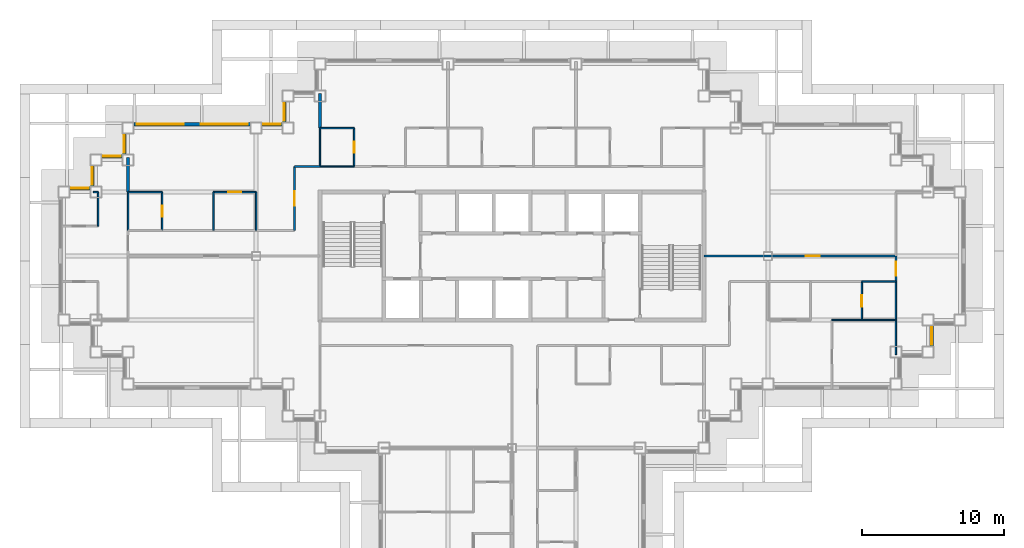
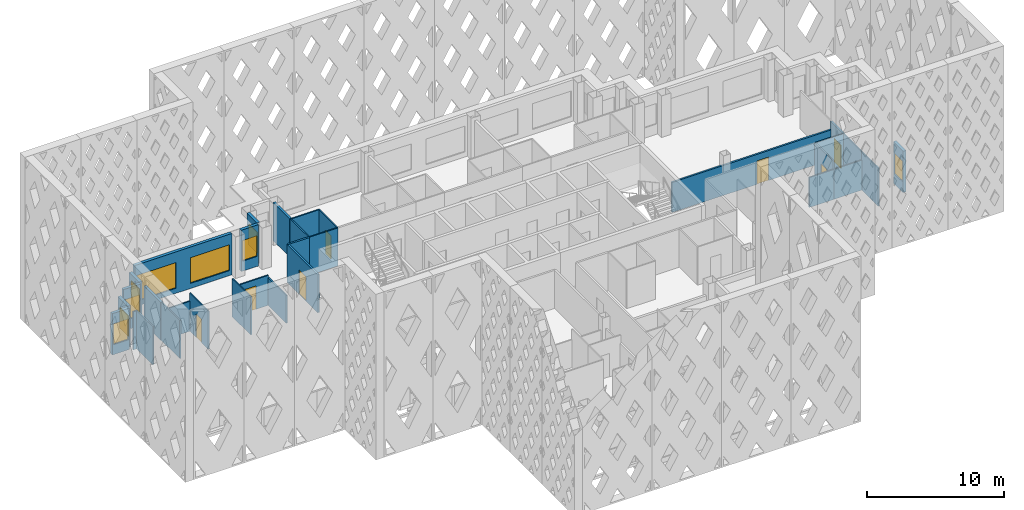
# One storey, part 7 of 19: 32 walls, 9 windows, 7 doors, 16 openings.
"""IFC4 building model written with IfcOpenShell, lengths in metres."""

from ifc_helpers import new_model, si_unit, direction, frame, frame_2d, origin, place, context, subcontext, project, spatial, rectangle, extrude, material, layer, layer_set, type_object, element, fill, save


model = new_model("IFC4")

# Units and contexts
model_context = context("Model", 3, precision=1e-05, world=origin(), true_north=direction((0.0, 1.0)))
body_context = subcontext(model_context, "Body", "Model", "MODEL_VIEW")
ifc_project = project(units=[si_unit("LENGTHUNIT", "METRE"), si_unit("AREAUNIT", "SQUARE_METRE"), si_unit("VOLUMEUNIT", "CUBIC_METRE"), si_unit("PLANEANGLEUNIT", "RADIAN"), si_unit("MASSUNIT", "GRAM", prefix="KILO")], contexts=[model_context])

# Site, building, storey
site_placement = place(None, origin())
site = spatial("IfcSite", under=ifc_project, at=site_placement, CompositionType="ELEMENT")
building_placement = place(site_placement, origin())
building = spatial("IfcBuilding", under=site, at=building_placement, Name="Caravel Reach Hotel and Residences", CompositionType="ELEMENT")
storey_placement = place(building_placement, frame((0.0, 0.0, 150.60009765625)))
storey = spatial("IfcBuildingStorey", under=building, at=storey_placement, Name="L37", CompositionType="ELEMENT", Elevation=150.60009765625)

# Walls
ifc_material_1 = material(Name="Gypsum board on steel stud", Category="steel")
ifc_layer_1 = layer(ifc_material_1, 0.10009765625)
ifc_layer_set_1 = layer_set([ifc_layer_1], Name="Bathroom pod wall 100 mm")
wall_type_1 = type_object("IfcWallType", Name="Bathroom pod wall 100 mm", PredefinedType="PARTITIONING", material=ifc_layer_set_1)
wall_1_placement = place(storey_placement, frame((56.10009765625, 22.5, 0.0), z_axis=(0.0, 0.0, 1.0), x_axis=(1.0, 0.0, 0.0)))
element("IfcWall", 1, at=wall_1_placement, inside=storey, type_object=wall_type_1, Name="L37 wall w084", PredefinedType="PARTITIONING", context=body_context, shape_type="SweptSolid", body=[
    extrude(rectangle(XDim=2.39990234375, YDim=0.10009765625, at=frame_2d((1.199951171875, 0.0))), origin(), (0.0, 0.0, 1.0), 2.679931640625),
])
wall_2_placement = place(storey_placement, frame((56.10009765625, 25.199951171875, 0.0), z_axis=(0.0, 0.0, 1.0), x_axis=(1.0, 0.0, 0.0)))
element("IfcWall", 2, at=wall_2_placement, inside=storey, type_object=wall_type_1, Name="L37 wall w085", PredefinedType="PARTITIONING", context=body_context, shape_type="SweptSolid", body=[
    extrude(rectangle(XDim=2.39990234375, YDim=0.10009765625, at=frame_2d((1.199951171875, 0.0))), origin(), (0.0, 0.0, 1.0), 3.39990234375),
])
wall_3_placement = place(storey_placement, frame((4.5, 31.5, 0.0), z_axis=(0.0, 0.0, 1.0), x_axis=(1.0, 0.0, 0.0)))
element("IfcWall", 3, at=wall_3_placement, inside=storey, type_object=wall_type_1, Name="L37 wall w088", PredefinedType="PARTITIONING", context=body_context, shape_type="SweptSolid", body=[
    extrude(rectangle(XDim=2.39990234375, YDim=0.10009765625, at=frame_2d((1.199951171875, 0.0))), origin(), (0.0, 0.0, 1.0), 2.679931640625),
])
for number, where, z_axis, x_axis, name in (
    (4, (18.0, 33.300048828125, 0.0), (0.0, 0.0, 1.0), (1.0, 0.0, 0.0), "L37 wall w089"),
    (5, (18.0, 36.0, 0.0), (0.0, 0.0, 1.0), (1.0, 0.0, 0.0), "L37 wall w092"),
):
    element("IfcWall", number, at=place(storey_placement, frame(where, z_axis=z_axis, x_axis=x_axis)), inside=storey, type_object=wall_type_1, Name=name, PredefinedType="PARTITIONING", context=body_context, shape_type="SweptSolid", body=[
        extrude(rectangle(XDim=2.39990234375, YDim=0.10009765625, at=frame_2d((1.199951171875, 0.0))), origin(), (0.0, 0.0, 1.0), 3.39990234375),
    ])
wall_4_placement = place(storey_placement, frame((18.0, 33.301025390625, 0.0), z_axis=(0.0, 0.0, 1.0), x_axis=(0.0, 1.0, 0.0)))
element("IfcWall", 6, at=wall_4_placement, inside=storey, type_object=wall_type_1, Name="L37 wall w097", PredefinedType="PARTITIONING", context=body_context, shape_type="SweptSolid", body=[
    extrude(rectangle(XDim=2.698974609375, YDim=0.10009765625, at=frame_2d((1.349609375, 0.0))), origin(), (0.0, 0.0, 1.0), 3.39990234375),
])

# Wall, opening, door
wall_5_placement = place(storey_placement, frame((20.39990234375, 33.300048828125, 0.0), z_axis=(0.0, 0.0, 1.0), x_axis=(0.0, 1.0, 0.0)))
wall_5 = element("IfcWall", 7, at=wall_5_placement, inside=storey, type_object=wall_type_1, Name="L37 wall w099", PredefinedType="PARTITIONING", context=body_context, shape_type="SweptSolid", body=[
    extrude(rectangle(XDim=2.699951171875, YDim=0.10009765625, at=frame_2d((1.35009765625, 0.0))), origin(), (0.0, 0.0, 1.0), 3.39990234375),
])
opening_1_placement = place(wall_5_placement, frame((0.949951171875, 0.0, 0.0)))
opening_1 = element("IfcOpeningElement", 8, at=opening_1_placement, cuts=wall_5, Name="Opening D37-018", PredefinedType="OPENING", context=body_context, shape_type="SweptSolid", body=[
    extrude(rectangle(XDim=0.800048828125, YDim=2.10009765625, at=frame_2d((0.39990234375, 1.050048828125))), frame((0.0, 0.06005859375, 0.0), z_axis=(0.0, -1.0, 0.0), x_axis=(1.0, 0.0, 0.0)), (0.0, 0.0, 1.0), 0.1201171875),
])
ifc_material_2 = material(Name="Timber and steel door leaf", Category="steel")
door_type_1 = type_object("IfcDoorType", Name="Bathroom door 800 x 2100", OperationType="SINGLE_SWING_LEFT", PredefinedType="DOOR", material=ifc_material_2)
door_1_placement = place(opening_1_placement, origin())
door_1 = element("IfcDoor", 9, at=door_1_placement, inside=storey, type_object=door_type_1, Name="door D37-018", OperationType="SINGLE_SWING_LEFT", OverallHeight=2.10009765625, OverallWidth=0.800048828125, PredefinedType="DOOR", context=body_context, shape_type="SweptSolid", body=[
    extrude(rectangle(XDim=0.800048828125, YDim=2.10009765625, at=frame_2d((0.39990234375, 1.050048828125))), frame((0.0, 0.02490234375, 0.0), z_axis=(0.0, -1.0, 0.0), x_axis=(1.0, 0.0, 0.0)), (0.0, 0.0, 1.0), 0.050048828125),
])
fill(opening_1, door_1)

# Wall
wall_6_placement = place(storey_placement, frame((4.5, 28.800048828125, 0.0), z_axis=(0.0, 0.0, 1.0), x_axis=(0.0, 1.0, 0.0)))
element("IfcWall", 10, at=wall_6_placement, inside=storey, type_object=wall_type_1, Name="L37 wall w110", PredefinedType="PARTITIONING", context=body_context, shape_type="SweptSolid", body=[
    extrude(rectangle(XDim=2.699951171875, YDim=0.10009765625, at=frame_2d((1.35009765625, 0.0))), origin(), (0.0, 0.0, 1.0), 3.39990234375),
])

# Wall, opening, door
wall_7_placement = place(storey_placement, frame((56.10009765625, 22.5, 0.0), z_axis=(0.0, 0.0, 1.0), x_axis=(0.0, 1.0, 0.0)))
wall_7 = element("IfcWall", 11, at=wall_7_placement, inside=storey, type_object=wall_type_1, Name="L37 wall w111", PredefinedType="PARTITIONING", context=body_context, shape_type="SweptSolid", body=[
    extrude(rectangle(XDim=2.699951171875, YDim=0.10009765625, at=frame_2d((1.35009765625, 0.0))), origin(), (0.0, 0.0, 1.0), 3.39990234375),
])
opening_2_placement = place(wall_7_placement, frame((0.949951171875, 0.0, 0.0)))
opening_2 = element("IfcOpeningElement", 12, at=opening_2_placement, cuts=wall_7, Name="Opening D37-033", PredefinedType="OPENING", context=body_context, shape_type="SweptSolid", body=[
    extrude(rectangle(XDim=0.800048828125, YDim=2.10009765625, at=frame_2d((0.39990234375, 1.050048828125))), frame((0.0, 0.06005859375, 0.0), z_axis=(0.0, -1.0, 0.0), x_axis=(1.0, 0.0, 0.0)), (0.0, 0.0, 1.0), 0.1201171875),
])
door_2_placement = place(opening_2_placement, origin())
door_2 = element("IfcDoor", 13, at=door_2_placement, inside=storey, type_object=door_type_1, Name="door D37-033", OperationType="SINGLE_SWING_LEFT", OverallHeight=2.10009765625, OverallWidth=0.800048828125, PredefinedType="DOOR", context=body_context, shape_type="SweptSolid", body=[
    extrude(rectangle(XDim=0.800048828125, YDim=2.10009765625, at=frame_2d((0.39990234375, 1.050048828125))), frame((0.0, 0.02490234375, 0.0), z_axis=(0.0, -1.0, 0.0), x_axis=(1.0, 0.0, 0.0)), (0.0, 0.0, 1.0), 0.050048828125),
])
fill(opening_2, door_2)

# Wall
wall_8_placement = place(storey_placement, frame((58.5, 22.5, 0.0), z_axis=(0.0, 0.0, 1.0), x_axis=(0.0, 1.0, 0.0)))
element("IfcWall", 14, at=wall_8_placement, inside=storey, type_object=wall_type_1, Name="L37 wall w112", PredefinedType="PARTITIONING", context=body_context, shape_type="SweptSolid", body=[
    extrude(rectangle(XDim=2.699951171875, YDim=0.10009765625, at=frame_2d((1.35009765625, 0.0))), origin(), (0.0, 0.0, 1.0), 3.39990234375),
])

# Wall, opening, door
wall_9_placement = place(storey_placement, frame((6.89990234375, 28.800048828125, 0.0), z_axis=(0.0, 0.0, 1.0), x_axis=(0.0, 1.0, 0.0)))
wall_9 = element("IfcWall", 15, at=wall_9_placement, inside=storey, type_object=wall_type_1, Name="L37 wall w113", PredefinedType="PARTITIONING", context=body_context, shape_type="SweptSolid", body=[
    extrude(rectangle(XDim=2.699951171875, YDim=0.10009765625, at=frame_2d((1.35009765625, 0.0))), origin(), (0.0, 0.0, 1.0), 3.39990234375),
])
opening_3_placement = place(wall_9_placement, frame((0.949951171875, 0.0, 0.0)))
opening_3 = element("IfcOpeningElement", 16, at=opening_3_placement, cuts=wall_9, Name="Opening D37-027", PredefinedType="OPENING", context=body_context, shape_type="SweptSolid", body=[
    extrude(rectangle(XDim=0.800048828125, YDim=2.10009765625, at=frame_2d((0.39990234375, 1.050048828125))), frame((0.0, 0.06005859375, 0.0), z_axis=(0.0, -1.0, 0.0), x_axis=(1.0, 0.0, 0.0)), (0.0, 0.0, 1.0), 0.1201171875),
])
door_3_placement = place(opening_3_placement, origin())
door_3 = element("IfcDoor", 17, at=door_3_placement, inside=storey, type_object=door_type_1, Name="door D37-027", OperationType="SINGLE_SWING_RIGHT", OverallHeight=2.10009765625, OverallWidth=0.800048828125, PredefinedType="DOOR", context=body_context, shape_type="SweptSolid", body=[
    extrude(rectangle(XDim=0.800048828125, YDim=2.10009765625, at=frame_2d((0.39990234375, 1.050048828125))), frame((0.0, 0.02490234375, 0.0), z_axis=(0.0, -1.0, 0.0), x_axis=(1.0, 0.0, 0.0)), (0.0, 0.0, 1.0), 0.050048828125),
])
fill(opening_3, door_3)

ifc_material_3 = material(Name="Gypsum board on steel stud, fire-rated", Category="steel")
ifc_layer_2 = layer(ifc_material_3, 0.14990234375)
ifc_layer_set_2 = layer_set([ifc_layer_2], Name="Corridor wall 150 mm EI 60")
wall_type_2 = type_object("IfcWallType", Name="Corridor wall 150 mm EI 60", PredefinedType="PARTITIONING", material=ifc_layer_set_2)
wall_10_placement = place(storey_placement, frame((45.0, 27.0, 0.0), z_axis=(0.0, 0.0, 1.0), x_axis=(1.0, 0.0, 0.0)))
wall_10 = element("IfcWall", 18, at=wall_10_placement, inside=storey, type_object=wall_type_2, Name="L37 wall w010", PredefinedType="PARTITIONING", context=body_context, shape_type="SweptSolid", body=[
    extrude(rectangle(XDim=13.5, YDim=0.14990234375, at=frame_2d((6.75, 0.0))), origin(), (0.0, 0.0, 1.0), 2.679931640625),
])
opening_4_placement = place(wall_10_placement, frame((7.14990234375, 0.0, 0.0)))
opening_4 = element("IfcOpeningElement", 19, at=opening_4_placement, cuts=wall_10, Name="Opening D37-030", PredefinedType="OPENING", context=body_context, shape_type="SweptSolid", body=[
    extrude(rectangle(XDim=1.0, YDim=2.10009765625, at=frame_2d((0.5, 1.050048828125))), frame((0.0, 0.0849609375, 0.0), z_axis=(0.0, -1.0, 0.0), x_axis=(1.0, 0.0, 0.0)), (0.0, 0.0, 1.0), 0.169921875),
])
ifc_material_4 = material(Name="Steel fire door leaf", Category="steel")
door_type_2 = type_object("IfcDoorType", Name="Fire door 1000 x 2100 EI 60", OperationType="SINGLE_SWING_LEFT", PredefinedType="DOOR", material=ifc_material_4)
door_4_placement = place(opening_4_placement, origin())
door_4 = element("IfcDoor", 20, at=door_4_placement, inside=storey, type_object=door_type_2, Name="door D37-030", OperationType="SINGLE_SWING_RIGHT", OverallHeight=2.10009765625, OverallWidth=1.0, PredefinedType="DOOR", context=body_context, shape_type="SweptSolid", body=[
    extrude(rectangle(XDim=1.0, YDim=2.10009765625, at=frame_2d((0.5, 1.050048828125))), frame((0.0, 0.02490234375, 0.0), z_axis=(0.0, -1.0, 0.0), x_axis=(1.0, 0.0, 0.0)), (0.0, 0.0, 1.0), 0.050048828125),
])
fill(opening_4, door_4)

# Wall
wall_11_placement = place(storey_placement, frame((16.199951171875, 33.300048828125, 0.0), z_axis=(0.0, 0.0, 1.0), x_axis=(1.0, 0.0, 0.0)))
element("IfcWall", 21, at=wall_11_placement, inside=storey, type_object=wall_type_2, Name="L37 wall w020", PredefinedType="PARTITIONING", context=body_context, shape_type="SweptSolid", body=[
    extrude(rectangle(XDim=1.799072265625, YDim=0.14990234375, at=frame_2d((0.8994140625, 0.0))), origin(), (0.0, 0.0, 1.0), 3.39990234375),
])

# Wall, opening, door
wall_12_placement = place(storey_placement, frame((16.199951171875, 28.801025390625, 0.0), z_axis=(0.0, 0.0, 1.0), x_axis=(0.0, 1.0, 0.0)))
wall_12 = element("IfcWall", 22, at=wall_12_placement, inside=storey, type_object=wall_type_2, Name="L37 wall w022", PredefinedType="PARTITIONING", context=body_context, shape_type="SweptSolid", body=[
    extrude(rectangle(XDim=4.4990234375, YDim=0.14990234375, at=frame_2d((2.24951171875, 0.0))), origin(), (0.0, 0.0, 1.0), 3.39990234375),
])
opening_5_placement = place(wall_12_placement, frame((1.74951171875, 0.0, 0.0)))
opening_5 = element("IfcOpeningElement", 23, at=opening_5_placement, cuts=wall_12, Name="Opening D37-026", PredefinedType="OPENING", context=body_context, shape_type="SweptSolid", body=[
    extrude(rectangle(XDim=1.0, YDim=2.199951171875, at=frame_2d((0.5, 1.10009765625))), frame((0.0, 0.0849609375, 0.0), z_axis=(0.0, -1.0, 0.0), x_axis=(1.0, 0.0, 0.0)), (0.0, 0.0, 1.0), 0.169921875),
])
ifc_material_5 = material(Name="Steel fire door leaf", Category="steel")
door_type_3 = type_object("IfcDoorType", Name="Flat entrance door 1000 x 2200 EI 60", OperationType="SINGLE_SWING_LEFT", PredefinedType="DOOR", material=ifc_material_5)
door_5_placement = place(opening_5_placement, origin())
door_5 = element("IfcDoor", 24, at=door_5_placement, inside=storey, type_object=door_type_3, Name="door D37-026", OperationType="SINGLE_SWING_LEFT", OverallHeight=2.199951171875, OverallWidth=1.0, PredefinedType="DOOR", context=body_context, shape_type="SweptSolid", body=[
    extrude(rectangle(XDim=1.0, YDim=2.199951171875, at=frame_2d((0.5, 1.10009765625))), frame((0.0, 0.02490234375, 0.0), z_axis=(0.0, -1.0, 0.0), x_axis=(1.0, 0.0, 0.0)), (0.0, 0.0, 1.0), 0.050048828125),
])
fill(opening_5, door_5)

wall_13_placement = place(storey_placement, frame((58.5, 25.199951171875, 0.0), z_axis=(0.0, 0.0, 1.0), x_axis=(0.0, 1.0, 0.0)))
wall_13 = element("IfcWall", 25, at=wall_13_placement, inside=storey, type_object=wall_type_2, Name="L37 wall w033", PredefinedType="PARTITIONING", context=body_context, shape_type="SweptSolid", body=[
    extrude(rectangle(XDim=1.800048828125, YDim=0.14990234375, at=frame_2d((0.89990234375, 0.0))), origin(), (0.0, 0.0, 1.0), 3.39990234375),
])
opening_6_placement = place(wall_13_placement, frame((0.39990234375, 0.0, 0.0)))
opening_6 = element("IfcOpeningElement", 26, at=opening_6_placement, cuts=wall_13, Name="Opening D37-049", PredefinedType="OPENING", context=body_context, shape_type="SweptSolid", body=[
    extrude(rectangle(XDim=1.0, YDim=2.10009765625, at=frame_2d((0.5, 1.050048828125))), frame((0.0, 0.0849609375, 0.0), z_axis=(0.0, -1.0, 0.0), x_axis=(1.0, 0.0, 0.0)), (0.0, 0.0, 1.0), 0.169921875),
])
door_6_placement = place(opening_6_placement, origin())
door_6 = element("IfcDoor", 27, at=door_6_placement, inside=storey, type_object=door_type_2, Name="door D37-049", OperationType="SINGLE_SWING_LEFT", OverallHeight=2.10009765625, OverallWidth=1.0, PredefinedType="DOOR", context=body_context, shape_type="SweptSolid", body=[
    extrude(rectangle(XDim=1.0, YDim=2.10009765625, at=frame_2d((0.5, 1.050048828125))), frame((0.0, 0.02490234375, 0.0), z_axis=(0.0, -1.0, 0.0), x_axis=(1.0, 0.0, 0.0)), (0.0, 0.0, 1.0), 0.050048828125),
])
fill(opening_6, door_6)

# Wall, opening, window
ifc_material_6 = material(Name="Insulated rainscreen wall, aluminium cladding", Category="aluminium")
ifc_layer_3 = layer(ifc_material_6, 0.25)
ifc_layer_set_3 = layer_set([ifc_layer_3], Name="EW1 Tower rainscreen wall")
wall_type_3 = type_object("IfcWallType", Name="EW1 Tower rainscreen wall", PredefinedType="SOLIDWALL", material=ifc_layer_set_3)
wall_14_placement = place(storey_placement, frame((61.02490234375, 20.64990234375, 0.0), z_axis=(0.0, 0.0, 1.0), x_axis=(0.0, 1.0, 0.0)))
wall_14 = element("IfcWall", 28, at=wall_14_placement, inside=storey, type_object=wall_type_3, Name="External wall L37 E18.1", PredefinedType="SOLIDWALL", context=body_context, shape_type="SweptSolid", body=[
    extrude(rectangle(XDim=1.4501953125, YDim=0.25, at=frame_2d((0.72509765625, 0.0))), origin(), (0.0, 0.0, 1.0), 3.699951171875),
])
opening_7_placement = place(wall_14_placement, frame((0.10009765625, 0.0, 0.89990234375)))
opening_7 = element("IfcOpeningElement", 29, at=opening_7_placement, cuts=wall_14, Name="Opening WN13", PredefinedType="OPENING", context=body_context, shape_type="SweptSolid", body=[
    extrude(rectangle(XDim=1.25, YDim=1.85009765625, at=frame_2d((0.625, 0.925048828125))), frame((0.0, 0.135009765625, 0.0), z_axis=(0.0, -1.0, 0.0), x_axis=(1.0, 0.0, 0.0)), (0.0, 0.0, 1.0), 0.27001953125),
])
ifc_material_7 = material(Name="Dark low-e glazing in black aluminium frame", Category="aluminium")
window_type_1 = type_object("IfcWindowType", Name="Residence bedroom window 1250 x 1850", PartitioningType="SINGLE_PANEL", PredefinedType="WINDOW", material=ifc_material_7)
window_1_placement = place(opening_7_placement, origin())
window_1 = element("IfcWindow", 30, at=window_1_placement, inside=storey, type_object=window_type_1, Name="Window L37 E18.1.1", OverallHeight=1.85009765625, OverallWidth=1.25, PartitioningType="SINGLE_PANEL", PredefinedType="WINDOW", context=body_context, shape_type="SweptSolid", body=[
    extrude(rectangle(XDim=1.25, YDim=1.85009765625, at=frame_2d((0.625, 0.925048828125))), frame((0.0, 0.030029296875, 0.0), z_axis=(0.0, -1.0, 0.0), x_axis=(1.0, 0.0, 0.0)), (0.0, 0.0, 1.0), 0.06005859375),
])
fill(opening_7, window_1)

wall_15_placement = place(storey_placement, frame((15.47509765625, 37.85009765625, 0.0), z_axis=(0.0, 0.0, 1.0), x_axis=(0.0, -1.0, 0.0)))
wall_15 = element("IfcWall", 31, at=wall_15_placement, inside=storey, type_object=wall_type_3, Name="External wall L37 W32.1", PredefinedType="SOLIDWALL", context=body_context, shape_type="SweptSolid", body=[
    extrude(rectangle(XDim=1.4501953125, YDim=0.25, at=frame_2d((0.72509765625, 0.0))), origin(), (0.0, 0.0, 1.0), 3.699951171875),
])
opening_8_placement = place(wall_15_placement, frame((0.10009765625, 0.0, 0.89990234375)))
opening_8 = element("IfcOpeningElement", 32, at=opening_8_placement, cuts=wall_15, Name="Opening WN13", PredefinedType="OPENING", context=body_context, shape_type="SweptSolid", body=[
    extrude(rectangle(XDim=1.25, YDim=1.85009765625, at=frame_2d((0.625, 0.925048828125))), frame((0.0, 0.135009765625, 0.0), z_axis=(0.0, -1.0, 0.0), x_axis=(1.0, 0.0, 0.0)), (0.0, 0.0, 1.0), 0.27001953125),
])
window_2_placement = place(opening_8_placement, origin())
window_2 = element("IfcWindow", 33, at=window_2_placement, inside=storey, type_object=window_type_1, Name="Window L37 W32.1.1", OverallHeight=1.85009765625, OverallWidth=1.25, PartitioningType="SINGLE_PANEL", PredefinedType="WINDOW", context=body_context, shape_type="SweptSolid", body=[
    extrude(rectangle(XDim=1.25, YDim=1.85009765625, at=frame_2d((0.625, 0.925048828125))), frame((0.0, 0.030029296875, 0.0), z_axis=(0.0, -1.0, 0.0), x_axis=(1.0, 0.0, 0.0)), (0.0, 0.0, 1.0), 0.06005859375),
])
fill(opening_8, window_2)

wall_16_placement = place(storey_placement, frame((15.35009765625, 36.27490234375, 0.0), z_axis=(0.0, 0.0, 1.0), x_axis=(-1.0, 0.0, 0.0)))
wall_16 = element("IfcWall", 34, at=wall_16_placement, inside=storey, type_object=wall_type_3, Name="External wall L37 N33.1", PredefinedType="SOLIDWALL", context=body_context, shape_type="SweptSolid", body=[
    extrude(rectangle(XDim=1.4501953125, YDim=0.25, at=frame_2d((0.72509765625, 0.0))), origin(), (0.0, 0.0, 1.0), 3.699951171875),
])
opening_9_placement = place(wall_16_placement, frame((0.10009765625, 0.0, 0.89990234375)))
opening_9 = element("IfcOpeningElement", 35, at=opening_9_placement, cuts=wall_16, Name="Opening WN13", PredefinedType="OPENING", context=body_context, shape_type="SweptSolid", body=[
    extrude(rectangle(XDim=1.25, YDim=1.85009765625, at=frame_2d((0.625, 0.925048828125))), frame((0.0, 0.135009765625, 0.0), z_axis=(0.0, -1.0, 0.0), x_axis=(1.0, 0.0, 0.0)), (0.0, 0.0, 1.0), 0.27001953125),
])
window_3_placement = place(opening_9_placement, origin())
window_3 = element("IfcWindow", 36, at=window_3_placement, inside=storey, type_object=window_type_1, Name="Window L37 N33.1.1", OverallHeight=1.85009765625, OverallWidth=1.25, PartitioningType="SINGLE_PANEL", PredefinedType="WINDOW", context=body_context, shape_type="SweptSolid", body=[
    extrude(rectangle(XDim=1.25, YDim=1.85009765625, at=frame_2d((0.625, 0.925048828125))), frame((0.0, 0.030029296875, 0.0), z_axis=(0.0, -1.0, 0.0), x_axis=(1.0, 0.0, 0.0)), (0.0, 0.0, 1.0), 0.06005859375),
])
fill(opening_9, window_3)

# Wall, openings, windows
wall_17_placement = place(storey_placement, frame((13.10009765625, 36.27490234375, 0.0), z_axis=(0.0, 0.0, 1.0), x_axis=(-1.0, 0.0, 0.0)))
wall_17 = element("IfcWall", 37, at=wall_17_placement, inside=storey, type_object=wall_type_3, Name="External wall L37 N33.2", PredefinedType="SOLIDWALL", context=body_context, shape_type="SweptSolid", body=[
    extrude(rectangle(XDim=8.2001953125, YDim=0.25, at=frame_2d((4.10009765625, 0.0))), origin(), (0.0, 0.0, 1.0), 3.699951171875),
])
opening_10_placement = place(wall_17_placement, frame((0.199951171875, 0.0, 0.449951171875)))
opening_10 = element("IfcOpeningElement", 38, at=opening_10_placement, cuts=wall_17, Name="Opening WN15", PredefinedType="OPENING", context=body_context, shape_type="SweptSolid", body=[
    extrude(rectangle(XDim=3.300048828125, YDim=2.300048828125, at=frame_2d((1.64990234375, 1.14990234375))), frame((0.0, 0.135009765625, 0.0), z_axis=(0.0, -1.0, 0.0), x_axis=(1.0, 0.0, 0.0)), (0.0, 0.0, 1.0), 0.27001953125),
])
opening_11_placement = place(wall_17_placement, frame((4.699951171875, 0.0, 0.449951171875)))
opening_11 = element("IfcOpeningElement", 39, at=opening_11_placement, cuts=wall_17, Name="Opening WN15", PredefinedType="OPENING", context=body_context, shape_type="SweptSolid", body=[
    extrude(rectangle(XDim=3.300048828125, YDim=2.300048828125, at=frame_2d((1.64990234375, 1.14990234375))), frame((0.0, 0.135009765625, 0.0), z_axis=(0.0, -1.0, 0.0), x_axis=(1.0, 0.0, 0.0)), (0.0, 0.0, 1.0), 0.27001953125),
])
ifc_material_8 = material(Name="Dark low-e glazing in black aluminium frame", Category="aluminium")
window_type_2 = type_object("IfcWindowType", Name="Residence living window 3300 x 2300", PartitioningType="SINGLE_PANEL", PredefinedType="WINDOW", material=ifc_material_8)
window_4_placement = place(opening_10_placement, origin())
window_4 = element("IfcWindow", 40, at=window_4_placement, inside=storey, type_object=window_type_2, Name="Window L37 N33.2.1", OverallHeight=2.300048828125, OverallWidth=3.300048828125, PartitioningType="SINGLE_PANEL", PredefinedType="WINDOW", context=body_context, shape_type="SweptSolid", body=[
    extrude(rectangle(XDim=3.300048828125, YDim=2.300048828125, at=frame_2d((1.64990234375, 1.14990234375))), frame((0.0, 0.030029296875, 0.0), z_axis=(0.0, -1.0, 0.0), x_axis=(1.0, 0.0, 0.0)), (0.0, 0.0, 1.0), 0.06005859375),
])
fill(opening_10, window_4)
window_5_placement = place(opening_11_placement, origin())
window_5 = element("IfcWindow", 41, at=window_5_placement, inside=storey, type_object=window_type_2, Name="Window L37 N33.2.2", OverallHeight=2.300048828125, OverallWidth=3.300048828125, PartitioningType="SINGLE_PANEL", PredefinedType="WINDOW", context=body_context, shape_type="SweptSolid", body=[
    extrude(rectangle(XDim=3.300048828125, YDim=2.300048828125, at=frame_2d((1.64990234375, 1.14990234375))), frame((0.0, 0.030029296875, 0.0), z_axis=(0.0, -1.0, 0.0), x_axis=(1.0, 0.0, 0.0)), (0.0, 0.0, 1.0), 0.06005859375),
])
fill(opening_11, window_5)

# Wall, opening, window
wall_18_placement = place(storey_placement, frame((4.22509765625, 35.60009765625, 0.0), z_axis=(0.0, 0.0, 1.0), x_axis=(0.0, -1.0, 0.0)))
wall_18 = element("IfcWall", 42, at=wall_18_placement, inside=storey, type_object=wall_type_3, Name="External wall L37 W34.1", PredefinedType="SOLIDWALL", context=body_context, shape_type="SweptSolid", body=[
    extrude(rectangle(XDim=1.4501953125, YDim=0.25, at=frame_2d((0.72509765625, 0.0))), origin(), (0.0, 0.0, 1.0), 3.699951171875),
])
opening_12_placement = place(wall_18_placement, frame((0.10009765625, 0.0, 0.89990234375)))
opening_12 = element("IfcOpeningElement", 43, at=opening_12_placement, cuts=wall_18, Name="Opening WN12", PredefinedType="OPENING", context=body_context, shape_type="SweptSolid", body=[
    extrude(rectangle(XDim=1.25, YDim=2.080078125, at=frame_2d((0.625, 1.0400390625))), frame((0.0, 0.135009765625, 0.0), z_axis=(0.0, -1.0, 0.0), x_axis=(1.0, 0.0, 0.0)), (0.0, 0.0, 1.0), 0.27001953125),
])
ifc_material_9 = material(Name="Dark low-e glazing in black aluminium frame", Category="aluminium")
window_type_3 = type_object("IfcWindowType", Name="Residence bedroom window 1250 x 2080", PartitioningType="SINGLE_PANEL", PredefinedType="WINDOW", material=ifc_material_9)
window_6_placement = place(opening_12_placement, origin())
window_6 = element("IfcWindow", 44, at=window_6_placement, inside=storey, type_object=window_type_3, Name="Window L37 W34.1.1", OverallHeight=2.080078125, OverallWidth=1.25, PartitioningType="SINGLE_PANEL", PredefinedType="WINDOW", context=body_context, shape_type="SweptSolid", body=[
    extrude(rectangle(XDim=1.25, YDim=2.080078125, at=frame_2d((0.625, 1.0400390625))), frame((0.0, 0.030029296875, 0.0), z_axis=(0.0, -1.0, 0.0), x_axis=(1.0, 0.0, 0.0)), (0.0, 0.0, 1.0), 0.06005859375),
])
fill(opening_12, window_6)

wall_19_placement = place(storey_placement, frame((4.10009765625, 34.02490234375, 0.0), z_axis=(0.0, 0.0, 1.0), x_axis=(-1.0, 0.0, 0.0)))
wall_19 = element("IfcWall", 45, at=wall_19_placement, inside=storey, type_object=wall_type_3, Name="External wall L37 N35.1", PredefinedType="SOLIDWALL", context=body_context, shape_type="SweptSolid", body=[
    extrude(rectangle(XDim=1.4501953125, YDim=0.25, at=frame_2d((0.72509765625, 0.0))), origin(), (0.0, 0.0, 1.0), 3.699951171875),
])
opening_13_placement = place(wall_19_placement, frame((0.10009765625, 0.0, 0.89990234375)))
opening_13 = element("IfcOpeningElement", 46, at=opening_13_placement, cuts=wall_19, Name="Opening WN13", PredefinedType="OPENING", context=body_context, shape_type="SweptSolid", body=[
    extrude(rectangle(XDim=1.25, YDim=1.85009765625, at=frame_2d((0.625, 0.925048828125))), frame((0.0, 0.135009765625, 0.0), z_axis=(0.0, -1.0, 0.0), x_axis=(1.0, 0.0, 0.0)), (0.0, 0.0, 1.0), 0.27001953125),
])
window_7_placement = place(opening_13_placement, origin())
window_7 = element("IfcWindow", 47, at=window_7_placement, inside=storey, type_object=window_type_1, Name="Window L37 N35.1.1", OverallHeight=1.85009765625, OverallWidth=1.25, PartitioningType="SINGLE_PANEL", PredefinedType="WINDOW", context=body_context, shape_type="SweptSolid", body=[
    extrude(rectangle(XDim=1.25, YDim=1.85009765625, at=frame_2d((0.625, 0.925048828125))), frame((0.0, 0.030029296875, 0.0), z_axis=(0.0, -1.0, 0.0), x_axis=(1.0, 0.0, 0.0)), (0.0, 0.0, 1.0), 0.06005859375),
])
fill(opening_13, window_7)

wall_20_placement = place(storey_placement, frame((1.97509765625, 33.35009765625, 0.0), z_axis=(0.0, 0.0, 1.0), x_axis=(0.0, -1.0, 0.0)))
wall_20 = element("IfcWall", 48, at=wall_20_placement, inside=storey, type_object=wall_type_3, Name="External wall L37 W36.1", PredefinedType="SOLIDWALL", context=body_context, shape_type="SweptSolid", body=[
    extrude(rectangle(XDim=1.4501953125, YDim=0.25, at=frame_2d((0.72509765625, 0.0))), origin(), (0.0, 0.0, 1.0), 3.699951171875),
])
opening_14_placement = place(wall_20_placement, frame((0.10009765625, 0.0, 0.89990234375)))
opening_14 = element("IfcOpeningElement", 49, at=opening_14_placement, cuts=wall_20, Name="Opening WN13", PredefinedType="OPENING", context=body_context, shape_type="SweptSolid", body=[
    extrude(rectangle(XDim=1.25, YDim=1.85009765625, at=frame_2d((0.625, 0.925048828125))), frame((0.0, 0.135009765625, 0.0), z_axis=(0.0, -1.0, 0.0), x_axis=(1.0, 0.0, 0.0)), (0.0, 0.0, 1.0), 0.27001953125),
])
window_8_placement = place(opening_14_placement, origin())
window_8 = element("IfcWindow", 50, at=window_8_placement, inside=storey, type_object=window_type_1, Name="Window L37 W36.1.1", OverallHeight=1.85009765625, OverallWidth=1.25, PartitioningType="SINGLE_PANEL", PredefinedType="WINDOW", context=body_context, shape_type="SweptSolid", body=[
    extrude(rectangle(XDim=1.25, YDim=1.85009765625, at=frame_2d((0.625, 0.925048828125))), frame((0.0, 0.030029296875, 0.0), z_axis=(0.0, -1.0, 0.0), x_axis=(1.0, 0.0, 0.0)), (0.0, 0.0, 1.0), 0.06005859375),
])
fill(opening_14, window_8)

wall_21_placement = place(storey_placement, frame((1.85009765625, 31.77490234375, 0.0), z_axis=(0.0, 0.0, 1.0), x_axis=(-1.0, 0.0, 0.0)))
wall_21 = element("IfcWall", 51, at=wall_21_placement, inside=storey, type_object=wall_type_3, Name="External wall L37 N37.1", PredefinedType="SOLIDWALL", context=body_context, shape_type="SweptSolid", body=[
    extrude(rectangle(XDim=1.4501953125, YDim=0.25, at=frame_2d((0.72509765625, 0.0))), origin(), (0.0, 0.0, 1.0), 3.699951171875),
])
opening_15_placement = place(wall_21_placement, frame((0.10009765625, 0.0, 0.89990234375)))
opening_15 = element("IfcOpeningElement", 52, at=opening_15_placement, cuts=wall_21, Name="Opening WN13", PredefinedType="OPENING", context=body_context, shape_type="SweptSolid", body=[
    extrude(rectangle(XDim=1.25, YDim=1.85009765625, at=frame_2d((0.625, 0.925048828125))), frame((0.0, 0.135009765625, 0.0), z_axis=(0.0, -1.0, 0.0), x_axis=(1.0, 0.0, 0.0)), (0.0, 0.0, 1.0), 0.27001953125),
])
window_9_placement = place(opening_15_placement, origin())
window_9 = element("IfcWindow", 53, at=window_9_placement, inside=storey, type_object=window_type_1, Name="Window L37 N37.1.1", OverallHeight=1.85009765625, OverallWidth=1.25, PartitioningType="SINGLE_PANEL", PredefinedType="WINDOW", context=body_context, shape_type="SweptSolid", body=[
    extrude(rectangle(XDim=1.25, YDim=1.85009765625, at=frame_2d((0.625, 0.925048828125))), frame((0.0, 0.030029296875, 0.0), z_axis=(0.0, -1.0, 0.0), x_axis=(1.0, 0.0, 0.0)), (0.0, 0.0, 1.0), 0.06005859375),
])
fill(opening_15, window_9)

# Wall
ifc_material_10 = material(Name="Gypsum board on steel stud", Category="steel")
ifc_layer_4 = layer(ifc_material_10, 0.10009765625)
ifc_layer_set_4 = layer_set([ifc_layer_4], Name="Partition 100 mm")
wall_type_4 = type_object("IfcWallType", Name="Partition 100 mm", PredefinedType="PARTITIONING", material=ifc_layer_set_4)
wall_22_placement = place(storey_placement, frame((54.0, 22.5, 0.0), z_axis=(0.0, 0.0, 1.0), x_axis=(1.0, 0.0, 0.0)))
element("IfcWall", 54, at=wall_22_placement, inside=storey, type_object=wall_type_4, Name="L37 wall w037", PredefinedType="PARTITIONING", context=body_context, shape_type="SweptSolid", body=[
    extrude(rectangle(XDim=2.10009765625, YDim=0.10009765625, at=frame_2d((1.050048828125, 0.0))), origin(), (0.0, 0.0, 1.0), 2.679931640625),
])

# Wall, opening, door
wall_23_placement = place(storey_placement, frame((10.5, 31.5, 0.0), z_axis=(0.0, 0.0, 1.0), x_axis=(1.0, 0.0, 0.0)))
wall_23 = element("IfcWall", 55, at=wall_23_placement, inside=storey, type_object=wall_type_4, Name="L37 wall w042", PredefinedType="PARTITIONING", context=body_context, shape_type="SweptSolid", body=[
    extrude(rectangle(XDim=3.0, YDim=0.10009765625, at=frame_2d((1.5, 0.0))), origin(), (0.0, 0.0, 1.0), 2.679931640625),
])
opening_16_placement = place(wall_23_placement, frame((1.050048828125, 0.0, 0.0)))
opening_16 = element("IfcOpeningElement", 56, at=opening_16_placement, cuts=wall_23, Name="Opening D37-028", PredefinedType="OPENING", context=body_context, shape_type="SweptSolid", body=[
    extrude(rectangle(XDim=0.89990234375, YDim=2.10009765625, at=frame_2d((0.449951171875, 1.050048828125))), frame((0.0, 0.06005859375, 0.0), z_axis=(0.0, -1.0, 0.0), x_axis=(1.0, 0.0, 0.0)), (0.0, 0.0, 1.0), 0.1201171875),
])
ifc_material_11 = material(Name="Timber and steel door leaf", Category="steel")
door_type_4 = type_object("IfcDoorType", Name="Door 900 x 2100 timber", OperationType="SINGLE_SWING_LEFT", PredefinedType="DOOR", material=ifc_material_11)
door_7_placement = place(opening_16_placement, origin())
door_7 = element("IfcDoor", 57, at=door_7_placement, inside=storey, type_object=door_type_4, Name="door D37-028", OperationType="SINGLE_SWING_LEFT", OverallHeight=2.10009765625, OverallWidth=0.89990234375, PredefinedType="DOOR", context=body_context, shape_type="SweptSolid", body=[
    extrude(rectangle(XDim=0.89990234375, YDim=2.10009765625, at=frame_2d((0.449951171875, 1.050048828125))), frame((0.0, 0.02490234375, 0.0), z_axis=(0.0, -1.0, 0.0), x_axis=(1.0, 0.0, 0.0)), (0.0, 0.0, 1.0), 0.050048828125),
])
fill(opening_16, door_7)

# Walls
wall_24_placement = place(storey_placement, frame((2.06005859375, 31.5, 0.0), z_axis=(0.0, 0.0, 1.0), x_axis=(1.0, 0.0, 0.0)))
element("IfcWall", 58, at=wall_24_placement, inside=storey, type_object=wall_type_4, Name="L37 wall w043", PredefinedType="PARTITIONING", context=body_context, shape_type="SweptSolid", body=[
    extrude(rectangle(XDim=0.33984375, YDim=0.10009765625, at=frame_2d((0.169921875, 0.0))), origin(), (0.0, 0.0, 1.0), 3.39990234375),
])
wall_25_placement = place(storey_placement, frame((10.5, 28.800048828125, 0.0), z_axis=(0.0, 0.0, 1.0), x_axis=(0.0, 1.0, 0.0)))
element("IfcWall", 59, at=wall_25_placement, inside=storey, type_object=wall_type_4, Name="L37 wall w053", PredefinedType="PARTITIONING", context=body_context, shape_type="SweptSolid", body=[
    extrude(rectangle(XDim=2.699951171875, YDim=0.10009765625, at=frame_2d((1.35009765625, 0.0))), origin(), (0.0, 0.0, 1.0), 3.39990234375),
])
wall_26_placement = place(storey_placement, frame((13.5, 28.801025390625, 0.0), z_axis=(0.0, 0.0, 1.0), x_axis=(0.0, 1.0, 0.0)))
element("IfcWall", 60, at=wall_26_placement, inside=storey, type_object=wall_type_4, Name="L37 wall w054", PredefinedType="PARTITIONING", context=body_context, shape_type="SweptSolid", body=[
    extrude(rectangle(XDim=2.698974609375, YDim=0.10009765625, at=frame_2d((1.349609375, 0.0))), origin(), (0.0, 0.0, 1.0), 2.47998046875),
])
wall_27_placement = place(storey_placement, frame((2.39990234375, 29.10009765625, 0.0), z_axis=(0.0, 0.0, 1.0), x_axis=(0.0, 1.0, 0.0)))
element("IfcWall", 61, at=wall_27_placement, inside=storey, type_object=wall_type_4, Name="L37 wall w057", PredefinedType="PARTITIONING", context=body_context, shape_type="SweptSolid", body=[
    extrude(rectangle(XDim=2.39990234375, YDim=0.10009765625, at=frame_2d((1.199951171875, 0.0))), origin(), (0.0, 0.0, 1.0), 3.39990234375),
])
wall_28_placement = place(storey_placement, frame((58.5, 20.06005859375, 0.0), z_axis=(0.0, 0.0, 1.0), x_axis=(0.0, 1.0, 0.0)))
element("IfcWall", 62, at=wall_28_placement, inside=storey, type_object=wall_type_4, Name="L37 wall w071", PredefinedType="PARTITIONING", context=body_context, shape_type="SweptSolid", body=[
    extrude(rectangle(XDim=2.43896484375, YDim=0.10009765625, at=frame_2d((1.219482421875, 0.0))), origin(), (0.0, 0.0, 1.0), 3.39990234375),
])
ifc_material_12 = material(Name="Autoclaved aerated block wall")
ifc_layer_5 = layer(ifc_material_12, 0.199951171875)
ifc_layer_set_5 = layer_set([ifc_layer_5], Name="Party wall 200 mm EI 60")
wall_type_5 = type_object("IfcWallType", Name="Party wall 200 mm EI 60", PredefinedType="PARTITIONING", material=ifc_layer_set_5)
wall_29_placement = place(storey_placement, frame((18.0, 36.0, 0.0), z_axis=(0.0, 0.0, 1.0), x_axis=(0.0, 1.0, 0.0)))
element("IfcWall", 63, at=wall_29_placement, inside=storey, type_object=wall_type_5, Name="L37 wall w074", PredefinedType="PARTITIONING", context=body_context, shape_type="SweptSolid", body=[
    extrude(rectangle(XDim=2.43994140625, YDim=0.199951171875, at=frame_2d((1.219970703125, 0.0))), origin(), (0.0, 0.0, 1.0), 3.39990234375),
])
wall_30_placement = place(storey_placement, frame((4.5, 31.5009765625, 0.0), z_axis=(0.0, 0.0, 1.0), x_axis=(0.0, 1.0, 0.0)))
element("IfcWall", 64, at=wall_30_placement, inside=storey, type_object=wall_type_5, Name="L37 wall w077", PredefinedType="PARTITIONING", context=body_context, shape_type="SweptSolid", body=[
    extrude(rectangle(XDim=2.43896484375, YDim=0.199951171875, at=frame_2d((1.219482421875, 0.0))), origin(), (0.0, 0.0, 1.0), 3.39990234375),
])

save(model, "model.ifc")
